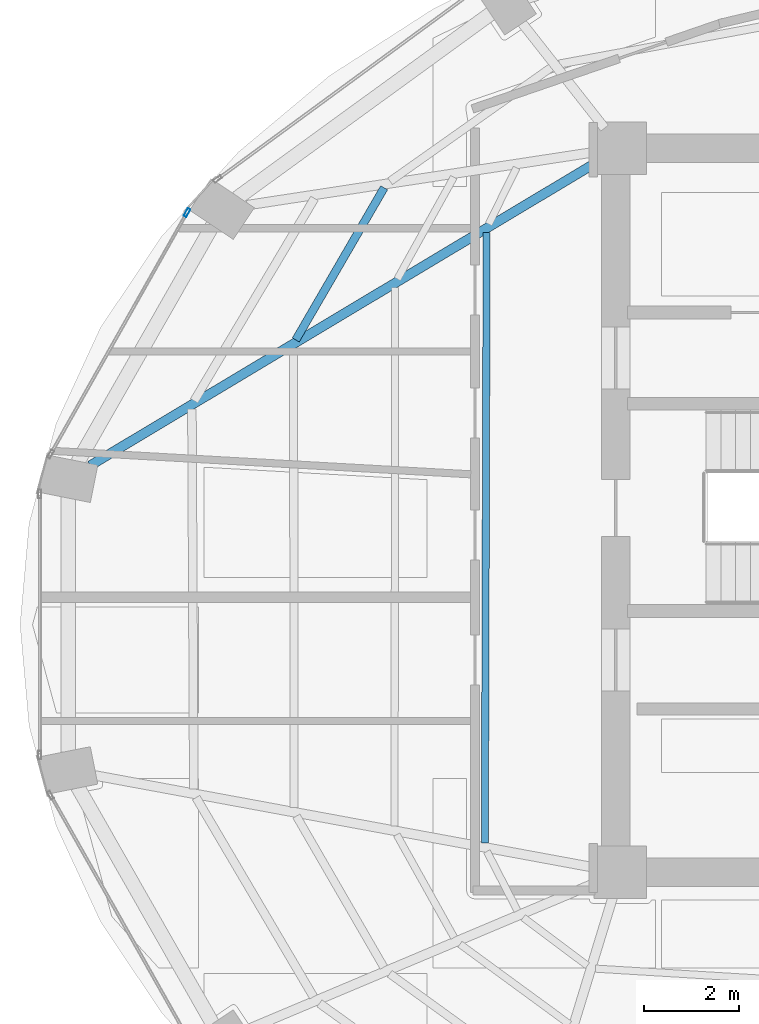
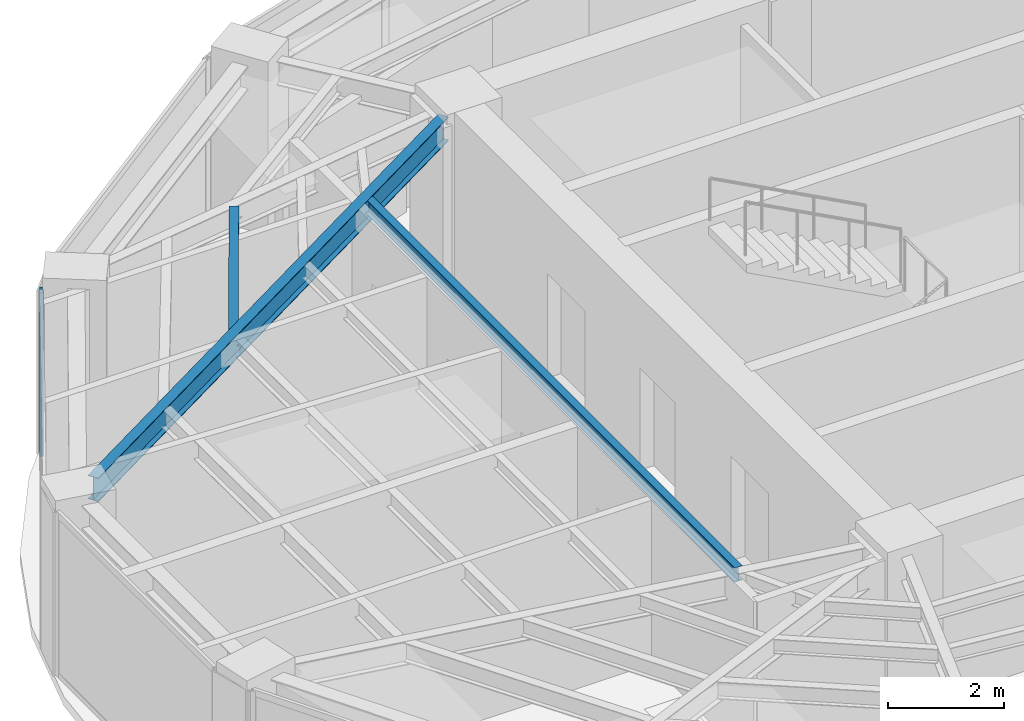
# One storey, part 9 of 23: 3 beams, 1 member, 1 element without a shape of its own.
"""IFC4 building model written with IfcOpenShell, lengths in metres."""

import ifcopenshell
import ifcopenshell.guid

model = None  # the IFC model being written
_history = None  # IfcOwnerHistory: only IFC2X3 demands one
_inside = {}  # id of a spatial element -> (the spatial element, [elements in it])
_under = {}  # id of a project, library or spatial element -> (it, [spatial elements below it])
_declared = {}  # id of a project -> (the project, [libraries it declares])
_typed = {}  # id of a type object -> (the type object, [elements of that type])
_made_of = {}  # id of a material, layer set ... -> (it, [elements and type objects made of it])


def new_model(schema):
    """Start an empty IFC model of exactly this schema.

    Asked for "IFC4X3", IfcOpenShell would pick the latest addendum, in which some entities
    have other attributes; the version numbers below select the first issue.
    IFC2X3 requires an IfcOwnerHistory on every rooted entity: one is made here for all.
    """
    global model, _history
    if schema == "IFC4X3":
        model = ifcopenshell.file(schema_version=(4, 3, 0, 0))
    else:
        model = ifcopenshell.file(schema=schema)
    _inside.clear()
    _under.clear()
    _declared.clear()
    _typed.clear()
    _made_of.clear()
    _history = None
    if model.schema == "IFC2X3":
        org = make("IfcOrganization", Name="unknown")
        user = make(
            "IfcPersonAndOrganization",
            ThePerson=make("IfcPerson", FamilyName="unknown"),
            TheOrganization=org,
        )
        app = make(
            "IfcApplication",
            ApplicationDeveloper=org,
            Version="unknown",
            ApplicationFullName="unknown",
            ApplicationIdentifier="unknown",
        )
        _history = make(
            "IfcOwnerHistory",
            OwningUser=user,
            OwningApplication=app,
            ChangeAction="ADDED",
            CreationDate=0,
        )
    return model


def make(cls, **values):
    """One entity of the class cls with the attributes given. An attribute that is None is left unset."""
    return model.create_entity(
        cls, **{name: value for name, value in values.items() if value is not None}
    )


def rooted(cls, **values):
    """An entity with a GlobalId (a new one), such as an element, a storey or a relation."""
    return make(cls, GlobalId=ifcopenshell.guid.new(), OwnerHistory=_history, **values)


def si_unit(unit_type, name, prefix=None):
    """IfcSIUnit, for example si_unit("LENGTHUNIT", "METRE", prefix="MILLI")."""
    return make("IfcSIUnit", UnitType=unit_type, Prefix=prefix, Name=name)


def assignment(units):
    """IfcUnitAssignment: the units of a project."""
    return None if units is None else make("IfcUnitAssignment", Units=units)


def point(xyz):
    """IfcCartesianPoint."""
    return None if xyz is None else make("IfcCartesianPoint", Coordinates=xyz)


def direction(xyz):
    """IfcDirection."""
    return None if xyz is None else make("IfcDirection", DirectionRatios=xyz)


def frame(location, z_axis=None, x_axis=None):
    """IfcAxis2Placement3D, a coordinate frame: its origin and axes. An axis left out is left unset."""
    return make(
        "IfcAxis2Placement3D",
        Location=point(location),
        Axis=direction(z_axis),
        RefDirection=direction(x_axis),
    )


def frame_2d(location, x_axis=None):
    """IfcAxis2Placement2D, a coordinate frame in the plane: its origin and x axis."""
    return make(
        "IfcAxis2Placement2D", Location=point(location), RefDirection=direction(x_axis)
    )


def origin():
    """The frame at (0, 0, 0) with its axes left unset."""
    return frame((0.0, 0.0, 0.0))


def origin_2d():
    """The frame at (0, 0) in the plane with its x axis left unset."""
    return frame_2d((0.0, 0.0))


def place(relative_to, where):
    """IfcLocalPlacement: puts the frame where relative to a parent placement (None: the world)."""
    return make(
        "IfcLocalPlacement", PlacementRelTo=relative_to, RelativePlacement=where
    )


def context(
    kind, dimensions, precision=None, world=None, true_north=None, identifier=None
):
    """IfcGeometricRepresentationContext, for example the 3D "Model" context."""
    return make(
        "IfcGeometricRepresentationContext",
        ContextIdentifier=identifier,
        ContextType=kind,
        CoordinateSpaceDimension=dimensions,
        Precision=precision,
        WorldCoordinateSystem=world,
        TrueNorth=true_north,
    )


def subcontext(parent, identifier, kind, view, scale=None):
    """IfcGeometricRepresentationSubContext, for example "Body" below "Model"."""
    return make(
        "IfcGeometricRepresentationSubContext",
        ContextIdentifier=identifier,
        ContextType=kind,
        ParentContext=parent,
        TargetScale=scale,
        TargetView=view,
    )


def project(units=None, contexts=None):
    """IfcProject with its units and contexts."""
    return rooted(
        "IfcProject",
        Name="project",
        RepresentationContexts=contexts,
        UnitsInContext=assignment(units),
    )


def spatial(cls, under=None, at=None, **own):
    """A site, building, storey or space (cls), placed at a placement, below another one or the project."""
    s = rooted(cls, ObjectPlacement=at, **own)
    if under is not None:
        _under.setdefault(under.id(), (under, []))[1].append(s)
    return s


def profile(cls, at=None, kind="AREA", **sizes):
    """A parametric profile (cls). Its sizes go by their IFC names, for example OverallWidth=200.0."""
    return make(cls, ProfileType=kind, Position=at, **sizes)


def hollow_rectangle(**sizes):
    """IfcRectangleHollowProfileDef."""
    return profile("IfcRectangleHollowProfileDef", **sizes)


def i_section(**sizes):
    """IfcIShapeProfileDef."""
    return profile("IfcIShapeProfileDef", **sizes)


def extrude(swept, where, along, depth):
    """IfcExtrudedAreaSolid: the profile swept, set in the frame where, extruded along a direction by depth."""
    return make(
        "IfcExtrudedAreaSolid",
        SweptArea=swept,
        Position=where,
        ExtrudedDirection=direction(along),
        Depth=depth,
    )


def shape(context_of_items, identifier, shape_type, items):
    """IfcShapeRepresentation: the items that make up one representation, for example the "Body"."""
    return make(
        "IfcShapeRepresentation",
        ContextOfItems=context_of_items,
        RepresentationIdentifier=identifier,
        RepresentationType=shape_type,
        Items=items,
    )


def material(Name=None, Category=None):
    """IfcMaterial."""
    return make("IfcMaterial", Name=Name, Category=Category)


def layer(
    of_material, thickness, ventilated=None, Name=None, Category=None, Priority=None
):
    """IfcMaterialLayer: one layer of a wall or slab, of a material (None: an air gap)."""
    return make(
        "IfcMaterialLayer",
        Material=of_material,
        LayerThickness=thickness,
        IsVentilated=ventilated,
        Name=Name,
        Category=Category,
        Priority=Priority,
    )


def layer_set(layers, Name=None):
    """IfcMaterialLayerSet."""
    return make("IfcMaterialLayerSet", MaterialLayers=layers, LayerSetName=Name)


def material_profile(
    of_material, cross_section, Name=None, Category=None, Priority=None
):
    """IfcMaterialProfile: a cross section and its material."""
    return make(
        "IfcMaterialProfile",
        Name=Name,
        Material=of_material,
        Profile=cross_section,
        Priority=Priority,
        Category=Category,
    )


def profile_set(profiles, Name=None, composite=None):
    """IfcMaterialProfileSet."""
    return make(
        "IfcMaterialProfileSet",
        Name=Name,
        MaterialProfiles=profiles,
        CompositeProfile=composite,
    )


def made_of(thing, what):
    """Note that an element or type object is made of a material, layer set ...; save() writes the relation."""
    if what is not None:
        _made_of.setdefault(what.id(), (what, []))[1].append(thing)
    return thing


def type_object(cls, material=None, **own):
    """A type object (cls), such as IfcWallType, which elements share."""
    return made_of(rooted(cls, **own), material)


def element(
    cls,
    number,
    at=None,
    inside=None,
    cuts=None,
    type_object=None,
    material=None,
    context=None,
    identifier="Body",
    shape_type=None,
    held_by="IfcProductDefinitionShape",
    body=None,
    shapes=None,
    **own,
):
    """One element of the class cls, such as IfcWall. Its Tag is "e" and its number.

    at: its placement. inside: the storey or other place that contains it. cuts: it is an
    opening in that element (IfcRelVoidsElement). A single representation is given by context,
    identifier, shape_type and body (its items); several are given by shapes. held_by: the class
    of the entity that holds the representations. save() writes the other relations.
    """
    e = rooted(cls, Tag="e%d" % number, ObjectPlacement=at, **own)
    if body is not None:
        shapes = [shape(context, identifier, shape_type, body)]
    if shapes is not None:
        e.Representation = make(held_by, Representations=shapes)
    if inside is not None:
        _inside.setdefault(inside.id(), (inside, []))[1].append(e)
    if cuts is not None:
        rooted(
            "IfcRelVoidsElement", RelatingBuildingElement=cuts, RelatedOpeningElement=e
        )
    if type_object is not None:
        _typed.setdefault(type_object.id(), (type_object, []))[1].append(e)
    return made_of(e, material)


def aggregate(whole, parts):
    """IfcRelAggregates: a whole, such as a stair, and the parts it consists of."""
    return rooted("IfcRelAggregates", RelatingObject=whole, RelatedObjects=parts)


def save(model, path):
    """Write the relations noted so far, then the file.

    IfcRelAggregates (storeys below a building ...), IfcRelContainedInSpatialStructure (elements
    in a storey), IfcRelDefinesByType, IfcRelAssociatesMaterial and IfcRelDeclares: one each for
    every whole, place, type object, material and project.
    """
    for whole, parts in _under.values():
        aggregate(whole, parts)
    for where, things in _inside.values():
        rooted(
            "IfcRelContainedInSpatialStructure",
            RelatedElements=things,
            RelatingStructure=where,
        )
    for kind, things in _typed.values():
        rooted("IfcRelDefinesByType", RelatedObjects=things, RelatingType=kind)
    for what, things in _made_of.values():
        rooted("IfcRelAssociatesMaterial", RelatedObjects=things, RelatingMaterial=what)
    for by, libraries in _declared.values():
        rooted("IfcRelDeclares", RelatingContext=by, RelatedDefinitions=libraries)
    model.write(path)


model = new_model("IFC4")

# Units and contexts
model_context = context("Model", 3, precision=1e-05, world=origin(), true_north=direction((0.0, 1.0)))
body_context = subcontext(model_context, "Body", "Model", "MODEL_VIEW")
ifc_project = project(units=[si_unit("LENGTHUNIT", "METRE"), si_unit("AREAUNIT", "SQUARE_METRE"), si_unit("VOLUMEUNIT", "CUBIC_METRE"), si_unit("PLANEANGLEUNIT", "RADIAN"), si_unit("MASSUNIT", "GRAM", prefix="KILO")], contexts=[model_context])

# Site, building, storey
site_placement = place(None, origin())
site = spatial("IfcSite", under=ifc_project, at=site_placement, CompositionType="ELEMENT")
building_placement = place(site_placement, origin())
building = spatial("IfcBuilding", under=site, at=building_placement, Name="Lazwardi Medical Tower", CompositionType="ELEMENT")
storey_placement = place(building_placement, frame((0.0, 0.0, 205.77587890625)))
storey = spatial("IfcBuildingStorey", under=building, at=storey_placement, Name="L53", CompositionType="ELEMENT", Elevation=205.77587890625)

# Beams
ifc_material_1 = material(Name="Steel S355", Category="steel")
ifc_material_profile_1 = material_profile(ifc_material_1, i_section(OverallWidth=0.199951171875, OverallDepth=0.5, WebThickness=0.01025390625, FlangeThickness=0.01611328125, at=origin_2d()), Name="IPE 500")
ifc_profile_set_1 = profile_set([ifc_material_profile_1], Name="Steel S355")
beam_type_1 = type_object("IfcBeamType", Name="BM-RG-W3", PredefinedType="BEAM", material=ifc_profile_set_1)
beam_1_placement = place(storey_placement, frame((15.27392578125, 28.937744140625, 3.1982421875), z_axis=(0.857944804603, 0.513741873176, 0.0), x_axis=(-0.513741873176, 0.857944804603, 0.0)))
element("IfcBeam", 1, at=beam_1_placement, inside=storey, type_object=beam_type_1, Name="Radial girder RG-04 R12 L53", PredefinedType="BEAM", context=body_context, shape_type="SweptSolid", body=[
    extrude(i_section(OverallWidth=0.199951171875, OverallDepth=0.5, WebThickness=0.01025390625, FlangeThickness=0.01611328125, at=origin_2d()), origin(), (0.0, 0.0, 1.0), 12.43310546875),
])
ifc_material_profile_2 = material_profile(ifc_material_1, i_section(OverallWidth=0.169921875, OverallDepth=0.360107421875, WebThickness=0.008056640625, FlangeThickness=0.0126953125, at=origin_2d()), Name="IPE 360")
ifc_profile_set_2 = profile_set([ifc_material_profile_2], Name="Steel S355")
beam_type_2 = type_object("IfcBeamType", Name="BM-SJ-02", PredefinedType="JOIST", material=ifc_profile_set_2)
beam_2_placement = place(storey_placement, frame((21.4423828125, 34.767578125, 3.26806640625), z_axis=(-0.50218018565, -0.864763008657, 0.0), x_axis=(0.864763008657, -0.50218018565, 0.0)))
element("IfcBeam", 2, at=beam_2_placement, inside=storey, type_object=beam_type_2, Name="Secondary joist SJ-02 R2 B11 L53", PredefinedType="JOIST", context=body_context, shape_type="SweptSolid", body=[
    extrude(i_section(OverallWidth=0.169921875, OverallDepth=0.360107421875, WebThickness=0.008056640625, FlangeThickness=0.0126953125, at=origin_2d()), origin(), (0.0, 0.0, 1.0), 3.69189453125),
])
ifc_material_profile_3 = material_profile(ifc_material_1, i_section(OverallWidth=0.14990234375, OverallDepth=0.300048828125, WebThickness=0.007080078125, FlangeThickness=0.0107421875, at=origin_2d()), Name="IPE 300")
ifc_profile_set_3 = profile_set([ifc_material_profile_3], Name="Steel S355")
beam_type_3 = type_object("IfcBeamType", Name="BM-SJ-03", PredefinedType="JOIST", material=ifc_profile_set_3)
beam_3_placement = place(storey_placement, frame((23.593994140625, 33.824951171875, 3.298095703125), z_axis=(-0.002897930673, -0.99999580099, 0.0), x_axis=(0.99999580099, -0.002897930673, 0.0)))
element("IfcBeam", 3, at=beam_3_placement, inside=storey, type_object=beam_type_3, Name="Secondary joist SJ-03 R4 B12 L53", PredefinedType="JOIST", context=body_context, shape_type="SweptSolid", body=[
    extrude(i_section(OverallWidth=0.14990234375, OverallDepth=0.300048828125, WebThickness=0.007080078125, FlangeThickness=0.0107421875, at=origin_2d()), origin(), (0.0, 0.0, 1.0), 12.805419921875),
])

# Curtain wall, member
ifc_material_2 = material(Name="Anodised bronze aluminium and solar control glazing", Category="aluminium")
ifc_layer = layer(ifc_material_2, 0.18994140625)
ifc_layer_set = layer_set([ifc_layer], Name="Anodised bronze aluminium and solar control glazing")
curtain_wall_type = type_object("IfcCurtainWallType", Name="CW-SYS-04", PredefinedType="NOTDEFINED", material=ifc_layer_set)
curtain_wall_placement = place(storey_placement, origin())
curtain_wall = element("IfcCurtainWall", 4, at=curtain_wall_placement, inside=storey, type_object=curtain_wall_type, Name="L53 Unitised bronze curtain wall CW-04", PredefinedType="NOTDEFINED")
ifc_material_3 = material(Name="Anodised bronze aluminium", Category="aluminium")
ifc_material_profile_4 = material_profile(ifc_material_3, hollow_rectangle(XDim=0.06494140625, YDim=0.179931640625, WallThickness=0.00390625, at=origin_2d()), Name="ALU-MULLION 180x65x4")
ifc_profile_set_4 = profile_set([ifc_material_profile_4], Name="Anodised bronze aluminium")
member_type = type_object("IfcMemberType", Name="CW-MUL-03", PredefinedType="MULLION", material=ifc_profile_set_4)
member_placement = place(storey_placement, frame((17.3056640625, 34.24560546875, 0.0), z_axis=(0.0, 0.0, 1.0), x_axis=(0.870651436011, -0.491900474661, 0.0)))
member = element("IfcMember", 5, at=member_placement, type_object=member_type, Name="CW-04 mullion 1", PredefinedType="MULLION", context=body_context, shape_type="SweptSolid", body=[
    extrude(hollow_rectangle(XDim=0.06494140625, YDim=0.179931640625, WallThickness=0.00390625, at=origin_2d()), origin(), (0.0, 0.0, 1.0), 3.4482421875),
])
aggregate(curtain_wall, [member])

save(model, "model.ifc")
